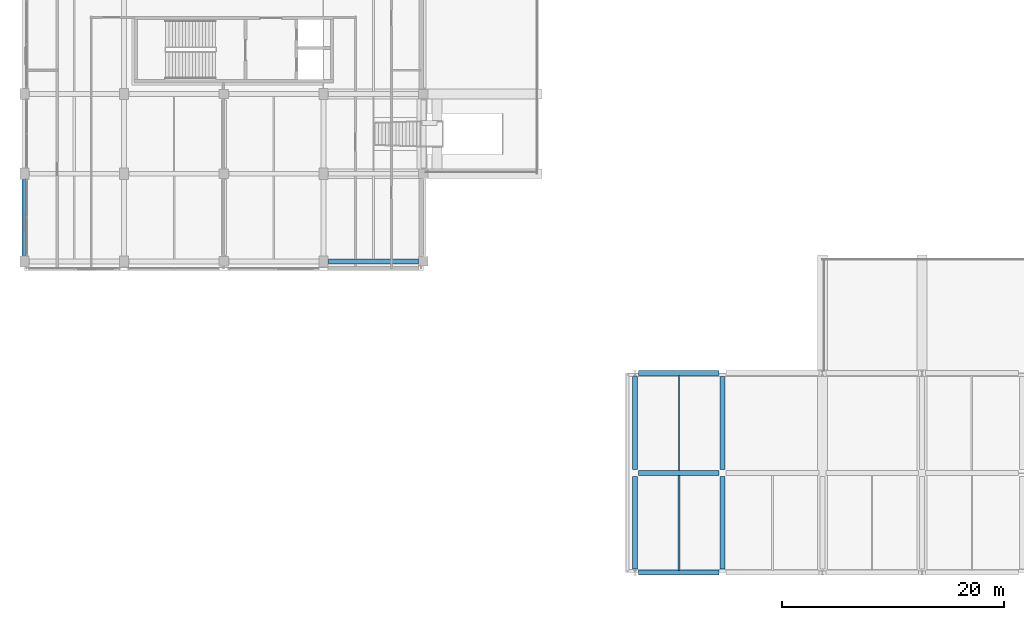
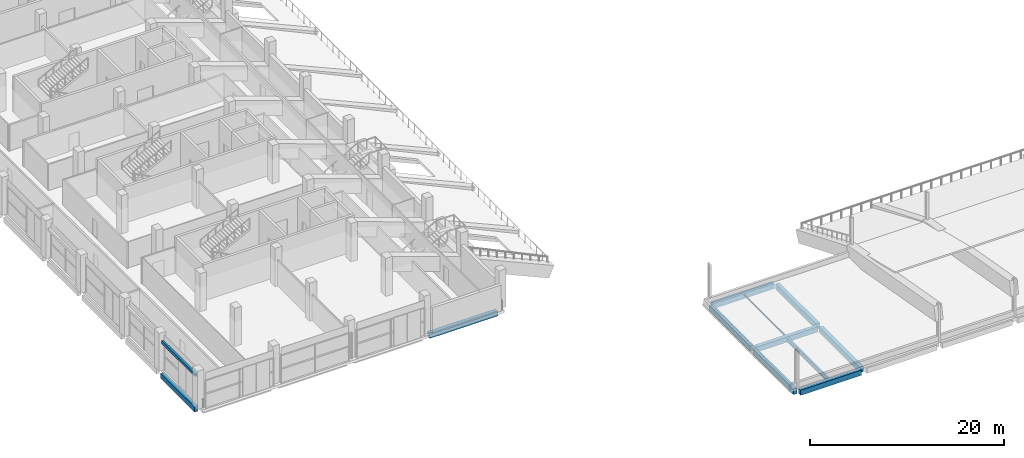
# One storey, part 20 of 66: 11 beams, 1 member.
"""IFC4 building model written with IfcOpenShell, lengths in metres."""

from ifc_helpers import new_model, si_unit, direction, frame, origin, origin_2d, place, context, subcontext, project, spatial, rectangle, hollow_rectangle, i_section, extrude, material, material_profile, profile_set, type_object, element, save


model = new_model("IFC4")

# Units and contexts
model_context = context("Model", 3, precision=1e-05, world=origin(), true_north=direction((0.0, 1.0)))
body_context = subcontext(model_context, "Body", "Model", "MODEL_VIEW")
ifc_project = project(units=[si_unit("LENGTHUNIT", "METRE"), si_unit("AREAUNIT", "SQUARE_METRE"), si_unit("VOLUMEUNIT", "CUBIC_METRE"), si_unit("PLANEANGLEUNIT", "RADIAN"), si_unit("MASSUNIT", "GRAM", prefix="KILO"), si_unit("THERMODYNAMICTEMPERATUREUNIT", "KELVIN"), si_unit("POWERUNIT", "WATT")], contexts=[model_context])

# Site, building, storey
site_placement = place(None, origin())
site = spatial("IfcSite", under=ifc_project, at=site_placement, CompositionType="ELEMENT")
building_placement = place(site_placement, origin())
building = spatial("IfcBuilding", under=site, at=building_placement, Name="Sindhuravela Promenade Stadium", CompositionType="ELEMENT")
storey_placement = place(building_placement, frame((0.0, 0.0, 19.199951171875)))
storey = spatial("IfcBuildingStorey", under=building, at=storey_placement, Name="L04", CompositionType="ELEMENT", Elevation=19.199951171875)

# Beams
ifc_material_1 = material(Name="Concrete M40", Category="concrete")
ifc_material_profile_1 = material_profile(ifc_material_1, rectangle(XDim=0.39990234375, YDim=0.64990234375, at=origin_2d()), Name="RC 400x650")
ifc_profile_set_1 = profile_set([ifc_material_profile_1], Name="Concrete M40")
beam_type_1 = type_object("IfcBeamType", Name="RC-BM-400x650", PredefinedType="SPANDREL", material=ifc_profile_set_1)
beam_1_placement = place(storey_placement, frame((0.0, 37.5400390625, -0.64501953125), z_axis=(0.0, 1.0, 0.0), x_axis=(-1.0, 0.0, 0.0)))
element("IfcBeam", 1, at=beam_1_placement, inside=storey, type_object=beam_type_1, Name="Primary beam SP01 WEST L04", PredefinedType="SPANDREL", context=body_context, shape_type="SweptSolid", body=[
    extrude(rectangle(XDim=0.39990234375, YDim=0.64990234375, at=origin_2d()), origin(), (0.0, 0.0, 1.0), 7.02001953125),
])
ifc_material_profile_2 = material_profile(ifc_material_1, rectangle(XDim=0.449951171875, YDim=0.64990234375, at=origin_2d()), Name="RC 450x650")
ifc_profile_set_2 = profile_set([ifc_material_profile_2], Name="Concrete M40")
beam_type_2 = type_object("IfcBeamType", Name="RC-BM-450x650", PredefinedType="T_BEAM", material=ifc_profile_set_2)
beam_2_placement = place(storey_placement, frame((27.43994140625, 37.10009765625, -0.64501953125), z_axis=(1.0, 0.0, 0.0), x_axis=(0.0, 1.0, 0.0)))
element("IfcBeam", 2, at=beam_2_placement, inside=storey, type_object=beam_type_2, Name="Primary girder GB08 WEST L04", PredefinedType="T_BEAM", context=body_context, shape_type="SweptSolid", body=[
    extrude(rectangle(XDim=0.449951171875, YDim=0.64990234375, at=origin_2d()), origin(), (0.0, 0.0, 1.0), 8.1201171875),
])
for number, where, z_axis, x_axis, name in (
    (3, (55.4150390625, 9.0, -0.570068359375), (1.0, 0.0, 0.0), (0.0, 1.0, 0.0), "Primary girder GB08 SOUTH L04"),
    (4, (55.4150390625, 18.0, -0.570068359375), (1.0, 0.0, 0.0), (0.0, 1.0, 0.0), "Primary girder GB08 SOUTH L04"),
    (5, (55.4150390625, 27.0, -0.570068359375), (1.0, 0.0, 0.0), (0.0, 1.0, 0.0), "Primary girder GB08 SOUTH L04"),
):
    element("IfcBeam", number, at=place(storey_placement, frame(where, z_axis=z_axis, x_axis=x_axis)), inside=storey, type_object=beam_type_2, Name=name, PredefinedType="T_BEAM", context=body_context, shape_type="SweptSolid", body=[
        extrude(rectangle(XDim=0.449951171875, YDim=0.64990234375, at=origin_2d()), origin(), (0.0, 0.0, 1.0), 7.27001953125),
    ])
ifc_material_profile_3 = material_profile(ifc_material_1, rectangle(XDim=0.449951171875, YDim=0.699951171875, at=origin_2d()), Name="RC 450x700")
ifc_profile_set_3 = profile_set([ifc_material_profile_3], Name="Concrete M40")
beam_type_3 = type_object("IfcBeamType", Name="RC-BM-450x700", PredefinedType="BEAM", material=ifc_profile_set_3)
for number, where, z_axis, x_axis, name in (
    (6, (55.10009765625, 9.31494140625, -0.594970703125), (0.0, 1.0, 0.0), (-1.0, 0.0, 0.0), "Primary beam GB07 SOUTH L04"),
    (7, (55.10009765625, 18.31494140625, -0.594970703125), (0.0, 1.0, 0.0), (-1.0, 0.0, 0.0), "Primary beam GB07 SOUTH L04"),
    (8, (63.0, 9.31494140625, -0.594970703125), (0.0, 1.0, 0.0), (-1.0, 0.0, 0.0), "Primary beam GB07 SOUTH L04"),
    (9, (63.0, 18.31494140625, -0.594970703125), (0.0, 1.0, 0.0), (-1.0, 0.0, 0.0), "Primary beam GB07 SOUTH L04"),
):
    element("IfcBeam", number, at=place(storey_placement, frame(where, z_axis=z_axis, x_axis=x_axis)), inside=storey, type_object=beam_type_3, Name=name, PredefinedType="BEAM", context=body_context, shape_type="SweptSolid", body=[
        extrude(rectangle(XDim=0.449951171875, YDim=0.699951171875, at=origin_2d()), origin(), (0.0, 0.0, 1.0), 8.3701171875),
    ])
ifc_material_2 = material(Name="Steel E350 (IS 2062 E350BR)", Category="steel")
ifc_material_profile_4 = material_profile(ifc_material_2, i_section(OverallWidth=0.10009765625, OverallDepth=0.199951171875, WebThickness=0.005615234375, FlangeThickness=0.0107421875, FilletRadius=0.010986328125, at=origin_2d()), Name="ISMB 200")
ifc_profile_set_4 = profile_set([ifc_material_profile_4], Name="Steel E350 (IS 2062 E350BR)")
beam_type_4 = type_object("IfcBeamType", Name="ST-BM-MB200", PredefinedType="JOIST", material=ifc_profile_set_4)
beam_3_placement = place(storey_placement, frame((59.050048828125, 18.215087890625, -0.344970703125), z_axis=(0.0, 1.0, 0.0), x_axis=(-1.0, 0.0, 0.0)))
element("IfcBeam", 10, at=beam_3_placement, inside=storey, type_object=beam_type_4, Name="Secondary floor joist SB01 SOUTH L04", PredefinedType="JOIST", context=body_context, shape_type="SweptSolid", body=[
    extrude(i_section(OverallWidth=0.10009765625, OverallDepth=0.199951171875, WebThickness=0.005615234375, FlangeThickness=0.0107421875, FilletRadius=0.010986328125, at=origin_2d()), origin(), (0.0, 0.0, 1.0), 8.56982421875),
])
ifc_material_profile_5 = material_profile(ifc_material_2, i_section(OverallWidth=0.18994140625, OverallDepth=0.550048828125, WebThickness=0.01123046875, FlangeThickness=0.019287109375, FilletRadius=0.01806640625, at=origin_2d()), Name="ISMB 550")
ifc_profile_set_5 = profile_set([ifc_material_profile_5], Name="Steel E350 (IS 2062 E350BR)")
beam_type_5 = type_object("IfcBeamType", Name="ST-BM-MB550", PredefinedType="SPANDREL", material=ifc_profile_set_5)
beam_4_placement = place(storey_placement, frame((59.050048828125, 9.215087890625, -0.52001953125), z_axis=(0.0, 1.0, 0.0), x_axis=(-1.0, 0.0, 0.0)))
element("IfcBeam", 11, at=beam_4_placement, inside=storey, type_object=beam_type_5, Name="Secondary floor joist SB08 SOUTH L04", PredefinedType="SPANDREL", context=body_context, shape_type="SweptSolid", body=[
    extrude(i_section(OverallWidth=0.18994140625, OverallDepth=0.550048828125, WebThickness=0.01123046875, FlangeThickness=0.019287109375, FilletRadius=0.01806640625, at=origin_2d()), origin(), (0.0, 0.0, 1.0), 8.56982421875),
])

# Member
ifc_material_profile_6 = material_profile(ifc_material_2, hollow_rectangle(XDim=0.25, YDim=0.35009765625, WallThickness=0.011962890625, at=origin_2d()), Name="RHS 350x250x12")
ifc_profile_set_6 = profile_set([ifc_material_profile_6], Name="Steel E350 (IS 2062 E350BR)")
member_type = type_object("IfcMemberType", Name="ST-MB-RHS350", PredefinedType="CHORD", material=ifc_profile_set_6)
member_placement = place(storey_placement, frame((0.0, 37.592041015625, 3.60009765625), z_axis=(0.0, 1.0, 0.0), x_axis=(-1.0, 0.0, 0.0)))
element("IfcMember", 12, at=member_placement, inside=storey, type_object=member_type, Name="Portal tie member MC02-18", PredefinedType="CHORD", context=body_context, shape_type="SweptSolid", body=[
    extrude(hollow_rectangle(XDim=0.25, YDim=0.35009765625, WallThickness=0.011962890625, at=origin_2d()), origin(), (0.0, 0.0, 1.0), 6.916015625),
])

save(model, "model.ifc")
